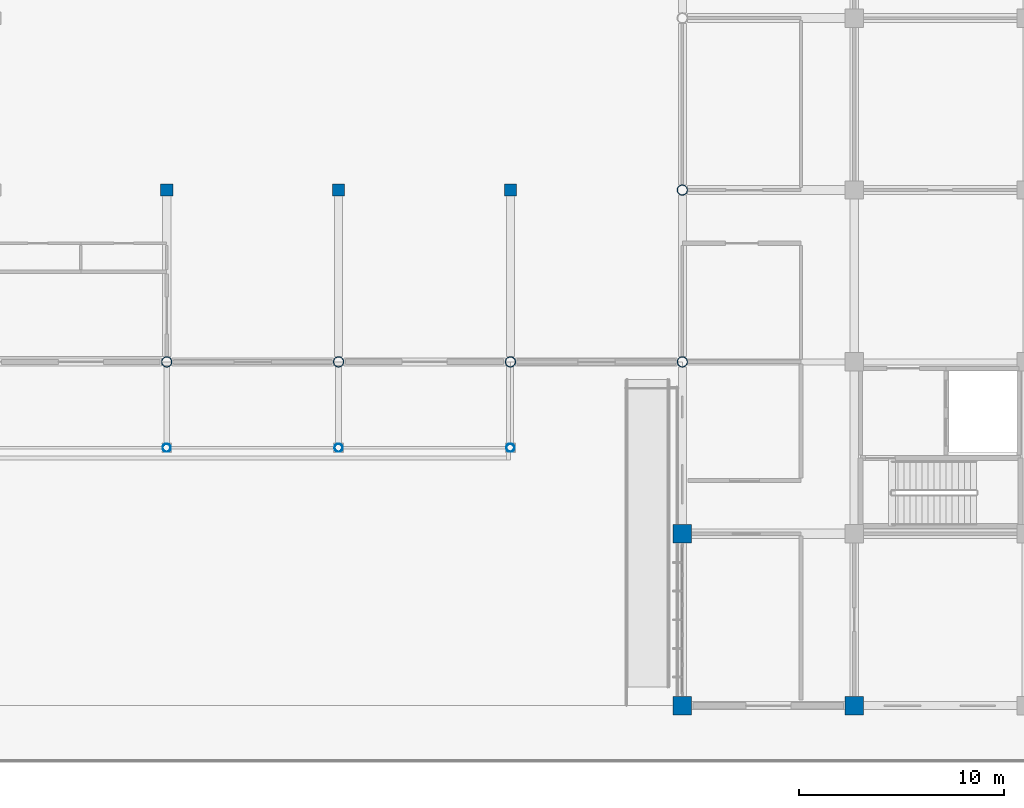
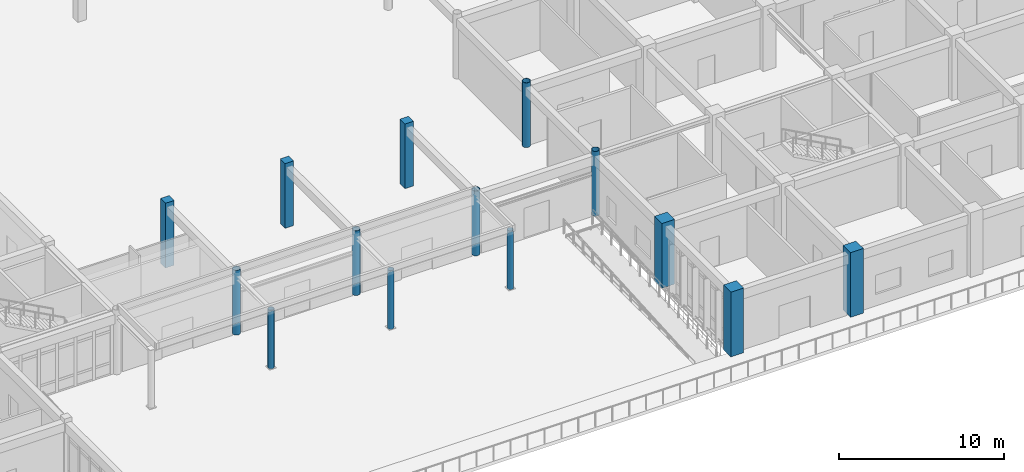
# One storey, part 5 of 138: 14 columns.
"""IFC4 building model written with IfcOpenShell, lengths in metres."""

from ifc_helpers import new_model, si_unit, direction, frame, origin, origin_2d, place, context, subcontext, project, spatial, rectangle, hollow_circle, extrude, material, material_profile, profile_set, type_object, element, save


model = new_model("IFC4")

# Units and contexts
model_context = context("Model", 3, precision=1e-05, world=origin(), true_north=direction((0.0, 1.0)))
body_context = subcontext(model_context, "Body", "Model", "MODEL_VIEW")
ifc_project = project(units=[si_unit("LENGTHUNIT", "METRE"), si_unit("AREAUNIT", "SQUARE_METRE"), si_unit("VOLUMEUNIT", "CUBIC_METRE"), si_unit("PLANEANGLEUNIT", "RADIAN"), si_unit("MASSUNIT", "GRAM", prefix="KILO")], contexts=[model_context])

# Site, building, storey
site_placement = place(None, origin())
site = spatial("IfcSite", under=ifc_project, at=site_placement, CompositionType="ELEMENT")
building_placement = place(site_placement, origin())
building = spatial("IfcBuilding", under=site, at=building_placement, Name="Bramfleet General Hospital", CompositionType="ELEMENT")
storey_placement = place(building_placement, origin())
storey = spatial("IfcBuildingStorey", under=building, at=storey_placement, Name="L00", CompositionType="ELEMENT", Elevation=0.0)

# Columns
ifc_material_1 = material(Name="Steel S355", Category="steel")
ifc_material_profile_1 = material_profile(ifc_material_1, hollow_circle(Radius=0.203125, WallThickness=0.01611328125, at=origin_2d()), Name="CHS 406.4x16.0")
ifc_profile_set_1 = profile_set([ifc_material_profile_1], Name="Steel S355")
column_type_1 = type_object("IfcColumnType", Name="COL-CHS406", PredefinedType="COLUMN", material=ifc_profile_set_1)
for number, where, z_axis, x_axis, name in (
    (1, (67.199951171875, 12.60009765625, 0.0), (0.0, 0.0, 1.0), (1.0, 0.0, 0.0), "Entrance Canopy Column 2"),
    (2, (75.60009765625, 12.60009765625, 0.0), (0.0, 0.0, 1.0), (1.0, 0.0, 0.0), "Entrance Canopy Column 3"),
    (3, (84.0, 12.60009765625, 0.0), (0.0, 0.0, 1.0), (1.0, 0.0, 0.0), "Entrance Canopy Column 4"),
):
    element("IfcColumn", number, at=place(storey_placement, frame(where, z_axis=z_axis, x_axis=x_axis)), inside=storey, type_object=column_type_1, Name=name, PredefinedType="COLUMN", context=body_context, shape_type="SweptSolid", body=[
        extrude(hollow_circle(Radius=0.203125, WallThickness=0.01611328125, at=origin_2d()), origin(), (0.0, 0.0, 1.0), 4.35009765625),
    ])
ifc_material_profile_2 = material_profile(ifc_material_1, hollow_circle(Radius=0.25390625, WallThickness=0.02001953125, at=origin_2d()), Name="CHS 508.0x20.0")
ifc_profile_set_2 = profile_set([ifc_material_profile_2], Name="Steel S355")
column_type_2 = type_object("IfcColumnType", Name="COL-CHS508", PredefinedType="COLUMN", material=ifc_profile_set_2)
for number, where, z_axis, x_axis, name in (
    (4, (67.199951171875, 16.800048828125, 0.0), (0.0, 0.0, 1.0), (1.0, 0.0, 0.0), "Column COL-L00-08-02"),
    (5, (75.60009765625, 16.800048828125, 0.0), (0.0, 0.0, 1.0), (1.0, 0.0, 0.0), "Column COL-L00-09-02"),
    (6, (84.0, 16.800048828125, 0.0), (0.0, 0.0, 1.0), (1.0, 0.0, 0.0), "Column COL-L00-10-02"),
    (7, (92.39990234375, 16.800048828125, 0.0), (0.0, 0.0, 1.0), (1.0, 0.0, 0.0), "Column COL-L00-11-02"),
    (8, (92.39990234375, 25.199951171875, 0.0), (0.0, 0.0, 1.0), (1.0, 0.0, 0.0), "Column COL-L00-11-03"),
):
    element("IfcColumn", number, at=place(storey_placement, frame(where, z_axis=z_axis, x_axis=x_axis)), inside=storey, type_object=column_type_2, Name=name, PredefinedType="COLUMN", context=body_context, shape_type="SweptSolid", body=[
        extrude(hollow_circle(Radius=0.25390625, WallThickness=0.02001953125, at=origin_2d()), origin(), (0.0, 0.0, 1.0), 4.800048828125),
    ])
ifc_material_2 = material(Name="Concrete C40/50", Category="concrete")
ifc_material_profile_3 = material_profile(ifc_material_2, rectangle(XDim=0.60009765625, YDim=0.60009765625, at=origin_2d()), Name="RC COL 600x600")
ifc_profile_set_3 = profile_set([ifc_material_profile_3], Name="Concrete C40/50")
column_type_3 = type_object("IfcColumnType", Name="COL-RC600", PredefinedType="COLUMN", material=ifc_profile_set_3)
for number, where, z_axis, x_axis, name in (
    (9, (67.199951171875, 25.199951171875, 0.0), (0.0, 0.0, 1.0), (1.0, 0.0, 0.0), "Column COL-L00-08-03"),
    (10, (75.60009765625, 25.199951171875, 0.0), (0.0, 0.0, 1.0), (1.0, 0.0, 0.0), "Column COL-L00-09-03"),
    (11, (84.0, 25.199951171875, 0.0), (0.0, 0.0, 1.0), (1.0, 0.0, 0.0), "Column COL-L00-10-03"),
):
    element("IfcColumn", number, at=place(storey_placement, frame(where, z_axis=z_axis, x_axis=x_axis)), inside=storey, type_object=column_type_3, Name=name, PredefinedType="COLUMN", context=body_context, shape_type="SweptSolid", body=[
        extrude(rectangle(XDim=0.60009765625, YDim=0.60009765625, at=origin_2d()), origin(), (0.0, 0.0, 1.0), 4.800048828125),
    ])
ifc_material_profile_4 = material_profile(ifc_material_2, rectangle(XDim=0.89990234375, YDim=0.89990234375, at=origin_2d()), Name="RC COL 900x900")
ifc_profile_set_4 = profile_set([ifc_material_profile_4], Name="Concrete C40/50")
column_type_4 = type_object("IfcColumnType", Name="COL-RC900", PredefinedType="COLUMN", material=ifc_profile_set_4)
for number, where, z_axis, x_axis, name in (
    (12, (92.39990234375, 0.0, 0.0), (0.0, 0.0, 1.0), (1.0, 0.0, 0.0), "Column COL-L00-11-00"),
    (13, (92.39990234375, 8.39990234375, 0.0), (0.0, 0.0, 1.0), (1.0, 0.0, 0.0), "Column COL-L00-11-01"),
    (14, (100.800048828125, 0.0, 0.0), (0.0, 0.0, 1.0), (1.0, 0.0, 0.0), "Column COL-L00-12-00"),
):
    element("IfcColumn", number, at=place(storey_placement, frame(where, z_axis=z_axis, x_axis=x_axis)), inside=storey, type_object=column_type_4, Name=name, PredefinedType="COLUMN", context=body_context, shape_type="SweptSolid", body=[
        extrude(rectangle(XDim=0.89990234375, YDim=0.89990234375, at=origin_2d()), origin(), (0.0, 0.0, 1.0), 4.800048828125),
    ])

save(model, "model.ifc")
